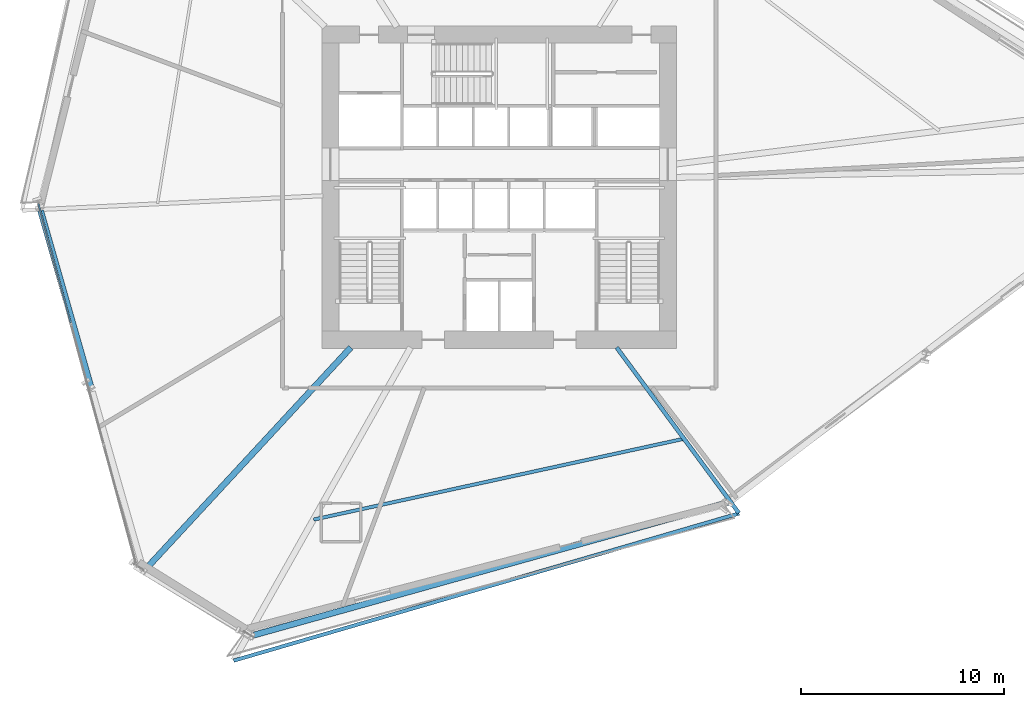
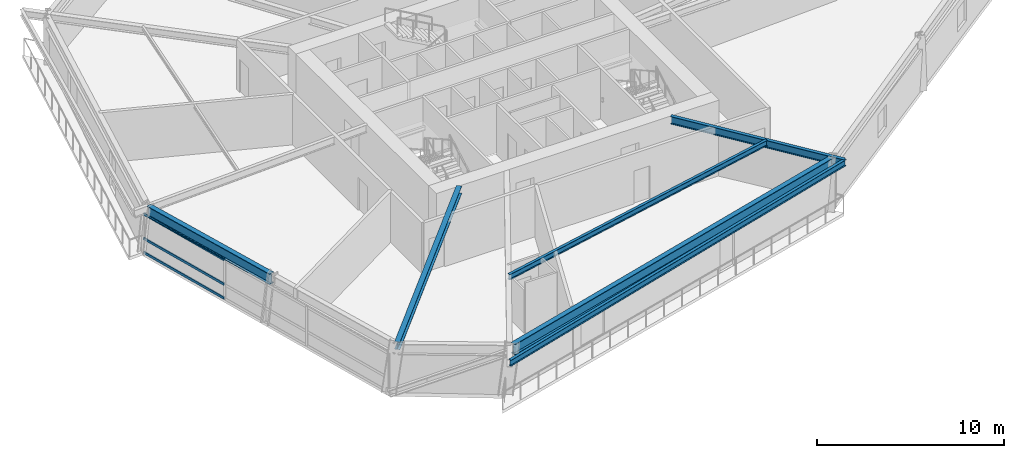
# One storey, part 5 of 20: 6 beams, 3 members, 1 element without a shape of its own.
"""IFC4 building model written with IfcOpenShell, lengths in metres."""

from ifc_helpers import new_model, si_unit, direction, frame, origin, origin_2d, place, context, subcontext, project, spatial, hollow_rectangle, i_section, extrude, source, transform, mapped, material, material_profile, profile_set, type_object, element, aggregate, save


model = new_model("IFC4")

# Units and contexts
model_context = context("Model", 3, precision=1e-05, world=origin(), true_north=direction((0.0, 1.0)))
body_context = subcontext(model_context, "Body", "Model", "MODEL_VIEW")
ifc_project = project(units=[si_unit("LENGTHUNIT", "METRE"), si_unit("AREAUNIT", "SQUARE_METRE"), si_unit("VOLUMEUNIT", "CUBIC_METRE"), si_unit("PLANEANGLEUNIT", "RADIAN"), si_unit("MASSUNIT", "GRAM", prefix="KILO")], contexts=[model_context])

# Site, building, storey
site_placement = place(None, origin())
site = spatial("IfcSite", under=ifc_project, at=site_placement, CompositionType="ELEMENT")
building_placement = place(site_placement, origin())
building = spatial("IfcBuilding", under=site, at=building_placement, Name="Olszyna Solenne Hotel", CompositionType="ELEMENT")
storey_placement = place(building_placement, frame((0.0, 0.0, 43.5)))
storey = spatial("IfcBuildingStorey", under=building, at=storey_placement, Name="L10", CompositionType="ELEMENT", Elevation=43.5)

# Beams
ifc_material_1 = material(Name="Steel S355J2", Category="steel")
ifc_material_profile_1 = material_profile(ifc_material_1, i_section(OverallWidth=0.300048828125, OverallDepth=0.699951171875, WebThickness=0.01708984375, FlangeThickness=0.031982421875, at=origin_2d()), Name="HEB 700", Category="load-bearing")
ifc_profile_set_1 = profile_set([ifc_material_profile_1], Name="Steel S355J2")
beam_type_1 = type_object("IfcBeamType", Name="BM-S1", PredefinedType="BEAM", material=ifc_profile_set_1)
shared_shape_1 = source(origin(), body_context, "Body", "SweptSolid", [
    extrude(i_section(OverallWidth=0.300048828125, OverallDepth=0.699951171875, WebThickness=0.01708984375, FlangeThickness=0.031982421875, at=origin_2d()), origin(), (0.0, 0.0, 1.0), 9.16357421875),
])
beam_1_placement = place(storey_placement, frame((15.375, 25.443359375, 2.949951171875), z_axis=(0.274766872717, -0.961510876515, 0.0), x_axis=(0.961510876515, 0.274766872717, 0.0)))
element("IfcBeam", 1, at=beam_1_placement, inside=storey, type_object=beam_type_1, Name="Perimeter spandrel beam BM-S1 B-L10-0324", PredefinedType="BEAM", context=body_context, shape_type="MappedRepresentation", body=[
    mapped(shared_shape_1, transform((0.0, 0.0, 0.0), x_axis=(1.0, 0.0, 0.0), y_axis=(0.0, 1.0, 0.0), z_axis=(0.0, 0.0, 1.0), scale=1.0)),
])
shared_shape_2 = source(origin(), body_context, "Body", "SweptSolid", [
    extrude(i_section(OverallWidth=0.300048828125, OverallDepth=0.699951171875, WebThickness=0.01708984375, FlangeThickness=0.031982421875, at=origin_2d()), origin(), (0.0, 0.0, 1.0), 24.401123046875),
])
beam_2_placement = place(storey_placement, frame((25.818115234375, 4.480224609375, 2.949951171875), z_axis=(0.963055925962, 0.269301473203, 0.0), x_axis=(-0.269301473203, 0.963055925962, 0.0)))
element("IfcBeam", 2, at=beam_2_placement, inside=storey, type_object=beam_type_1, Name="Perimeter spandrel beam BM-S1 B-L10-0327", PredefinedType="BEAM", context=body_context, shape_type="MappedRepresentation", body=[
    mapped(shared_shape_2, transform((0.0, 0.0, 0.0), x_axis=(1.0, 0.0, 0.0), y_axis=(0.0, 1.0, 0.0), z_axis=(0.0, 0.0, 1.0), scale=1.0)),
])
ifc_material_profile_2 = material_profile(ifc_material_1, i_section(OverallWidth=0.300048828125, OverallDepth=0.489990234375, WebThickness=0.011962890625, FlangeThickness=0.02294921875, at=origin_2d()), Name="HEA 500", Category="load-bearing")
ifc_profile_set_2 = profile_set([ifc_material_profile_2], Name="Steel S355J2")
beam_type_2 = type_object("IfcBeamType", Name="BM-G1", PredefinedType="BEAM", material=ifc_profile_set_2)
shared_shape_3 = source(origin(), body_context, "Body", "SweptSolid", [
    extrude(i_section(OverallWidth=0.300048828125, OverallDepth=0.489990234375, WebThickness=0.011962890625, FlangeThickness=0.02294921875, at=origin_2d()), origin(), (0.0, 0.0, 1.0), 14.98046875),
])
beam_3_placement = place(storey_placement, frame((20.5009765625, 7.6923828125, 3.054931640625), z_axis=(0.679239347208, 0.733916827171, 0.0), x_axis=(-0.733916827171, 0.679239347208, 0.0)))
element("IfcBeam", 3, at=beam_3_placement, inside=storey, type_object=beam_type_2, Name="Radial floor girder BM-G1 B-L10-0336", PredefinedType="BEAM", context=body_context, shape_type="MappedRepresentation", body=[
    mapped(shared_shape_3, transform((0.0, 0.0, 0.0), x_axis=(1.0, 0.0, 0.0), y_axis=(0.0, 1.0, 0.0), z_axis=(0.0, 0.0, 1.0), scale=1.0)),
])
ifc_material_profile_3 = material_profile(ifc_material_1, i_section(OverallWidth=0.199951171875, OverallDepth=0.5, WebThickness=0.01025390625, FlangeThickness=0.01611328125, at=origin_2d()), Name="IPE 500", Category="load-bearing")
ifc_profile_set_3 = profile_set([ifc_material_profile_3], Name="Steel S355J2")
beam_type_3 = type_object("IfcBeamType", Name="BM-F3", PredefinedType="BEAM", material=ifc_profile_set_3)
shared_shape_4 = source(origin(), body_context, "Body", "SweptSolid", [
    extrude(i_section(OverallWidth=0.199951171875, OverallDepth=0.5, WebThickness=0.01025390625, FlangeThickness=0.01611328125, at=origin_2d()), origin(), (0.0, 0.0, 1.0), 10.1533203125),
])
beam_4_placement = place(storey_placement, frame((49.8232421875, 10.521728515625, 3.050048828125), z_axis=(-0.593927157811, 0.804518819677, 0.0), x_axis=(-0.804518819677, -0.593927157811, 0.0)))
element("IfcBeam", 4, at=beam_4_placement, inside=storey, type_object=beam_type_3, Name="Radial floor girder BM-F3 B-L10-0338", PredefinedType="BEAM", context=body_context, shape_type="MappedRepresentation", body=[
    mapped(shared_shape_4, transform((0.0, 0.0, 0.0), x_axis=(1.0, 0.0, 0.0), y_axis=(0.0, 1.0, 0.0), z_axis=(0.0, 0.0, 1.0), scale=1.0)),
])
ifc_material_profile_4 = material_profile(ifc_material_1, i_section(OverallWidth=0.169921875, OverallDepth=0.360107421875, WebThickness=0.008056640625, FlangeThickness=0.0126953125, at=origin_2d()), Name="IPE 360", Category="load-bearing")
ifc_profile_set_4 = profile_set([ifc_material_profile_4], Name="Steel S355J2")
beam_type_4 = type_object("IfcBeamType", Name="JS-01", PredefinedType="JOIST", material=ifc_profile_set_4)
shared_shape_5 = source(origin(), body_context, "Body", "SweptSolid", [
    extrude(i_section(OverallWidth=0.169921875, OverallDepth=0.360107421875, WebThickness=0.008056640625, FlangeThickness=0.0126953125, at=origin_2d()), origin(), (0.0, 0.0, 1.0), 18.6787109375),
])
beam_5_placement = place(storey_placement, frame((28.847900390625, 10.2001953125, 3.1201171875), z_axis=(0.976984272555, 0.213311347988, 0.0), x_axis=(-0.213311347988, 0.976984272555, 0.0)))
element("IfcBeam", 5, at=beam_5_placement, inside=storey, type_object=beam_type_4, Name="Secondary composite floor joist JS-01 B-L10-0343", PredefinedType="JOIST", context=body_context, shape_type="MappedRepresentation", body=[
    mapped(shared_shape_5, transform((0.0, 0.0, 0.0), x_axis=(1.0, 0.0, 0.0), y_axis=(0.0, 1.0, 0.0), z_axis=(0.0, 0.0, 1.0), scale=1.0)),
])
ifc_material_profile_5 = material_profile(ifc_material_1, i_section(OverallWidth=0.179931640625, OverallDepth=0.39990234375, WebThickness=0.008544921875, FlangeThickness=0.013427734375, at=origin_2d()), Name="IPE 400", Category="load-bearing")
ifc_profile_set_5 = profile_set([ifc_material_profile_5], Name="Steel S355J2")
beam_type_5 = type_object("IfcBeamType", Name="BM-F5", PredefinedType="BEAM", material=ifc_profile_set_5)
shared_shape_6 = source(origin(), body_context, "Body", "SweptSolid", [
    extrude(i_section(OverallWidth=0.179931640625, OverallDepth=0.39990234375, WebThickness=0.008544921875, FlangeThickness=0.013427734375, at=origin_2d()), origin(), (0.0, 0.0, 1.0), 25.970458984375),
])
beam_6_placement = place(storey_placement, frame((24.90087890625, 3.242919921875, 3.10009765625), z_axis=(0.96010153942, 0.279651629717, 0.0), x_axis=(-0.279651629717, 0.96010153942, 0.0)))
element("IfcBeam", 6, at=beam_6_placement, inside=storey, type_object=beam_type_5, Name="Loggia outer edge beam BM-F5 B-L10-0346", PredefinedType="BEAM", context=body_context, shape_type="MappedRepresentation", body=[
    mapped(shared_shape_6, transform((0.0, 0.0, 0.0), x_axis=(1.0, 0.0, 0.0), y_axis=(0.0, 1.0, 0.0), z_axis=(0.0, 0.0, 1.0), scale=1.0)),
])

# Curtain wall, members
ifc_material_2 = material(Name="Anodised bronze aluminium", Category="aluminium")
curtain_wall_type = type_object("IfcCurtainWallType", Name="CW-SYS-2", PredefinedType="NOTDEFINED", material=ifc_material_2)
curtain_wall_placement = place(storey_placement, origin())
curtain_wall = element("IfcCurtainWall", 7, at=curtain_wall_placement, inside=storey, type_object=curtain_wall_type, Name="Unitised curtain wall CW-SYS-2 CW-L10-01", PredefinedType="NOTDEFINED")
ifc_material_profile_6 = material_profile(ifc_material_2, hollow_rectangle(XDim=0.074951171875, YDim=0.159912109375, WallThickness=0.00390625, at=origin_2d()), Name="TRAN 160x75x4", Category="load-bearing")
ifc_profile_set_6 = profile_set([ifc_material_profile_6], Name="Anodised bronze aluminium")
member_type = type_object("IfcMemberType", Name="CW-T1", PredefinedType="USERDEFINED", material=ifc_profile_set_6)
shared_shape_7 = source(origin(), body_context, "Body", "SweptSolid", [
    extrude(hollow_rectangle(XDim=0.074951171875, YDim=0.159912109375, WallThickness=0.00390625, at=origin_2d()), origin(), (0.0, 0.0, 1.0), 6.084228515625),
])
member_1_placement = place(storey_placement, frame((15.269287109375, 25.7822265625, 0.03759765625), z_axis=(0.262030717403, -0.965059533468, 0.0), x_axis=(0.965059533468, 0.262030717403, 0.0)))
member_1 = element("IfcMember", 8, at=member_1_placement, type_object=member_type, Name="Curtain-wall transom CW-T1 CT-L10-01-01", ObjectType="TRANSOM", PredefinedType="USERDEFINED", context=body_context, shape_type="MappedRepresentation", body=[
    mapped(shared_shape_7, transform((0.0, 0.0, 0.0), x_axis=(1.0, 0.0, 0.0), y_axis=(0.0, 1.0, 0.0), z_axis=(0.0, 0.0, 1.0), scale=1.0)),
])
member_2_placement = place(storey_placement, frame((15.269287109375, 25.7822265625, 0.949951171875), z_axis=(0.262030717403, -0.965059533468, 0.0), x_axis=(0.965059533468, 0.262030717403, 0.0)))
member_2 = element("IfcMember", 9, at=member_2_placement, type_object=member_type, Name="Curtain-wall transom CW-T1 CT-L10-01-02", ObjectType="TRANSOM", PredefinedType="USERDEFINED", context=body_context, shape_type="MappedRepresentation", body=[
    mapped(shared_shape_7, transform((0.0, 0.0, 0.0), x_axis=(1.0, 0.0, 0.0), y_axis=(0.0, 1.0, 0.0), z_axis=(0.0, 0.0, 1.0), scale=1.0)),
])
member_3_placement = place(storey_placement, frame((15.269287109375, 25.7822265625, 2.554443359375), z_axis=(0.262030717403, -0.965059533468, 0.0), x_axis=(0.965059533468, 0.262030717403, 0.0)))
member_3 = element("IfcMember", 10, at=member_3_placement, type_object=member_type, Name="Curtain-wall transom CW-T1 CT-L10-01-03", ObjectType="TRANSOM", PredefinedType="USERDEFINED", context=body_context, shape_type="MappedRepresentation", body=[
    mapped(shared_shape_7, transform((0.0, 0.0, 0.0), x_axis=(1.0, 0.0, 0.0), y_axis=(0.0, 1.0, 0.0), z_axis=(0.0, 0.0, 1.0), scale=1.0)),
])
aggregate(curtain_wall, [member_1, member_2, member_3])

save(model, "model.ifc")
